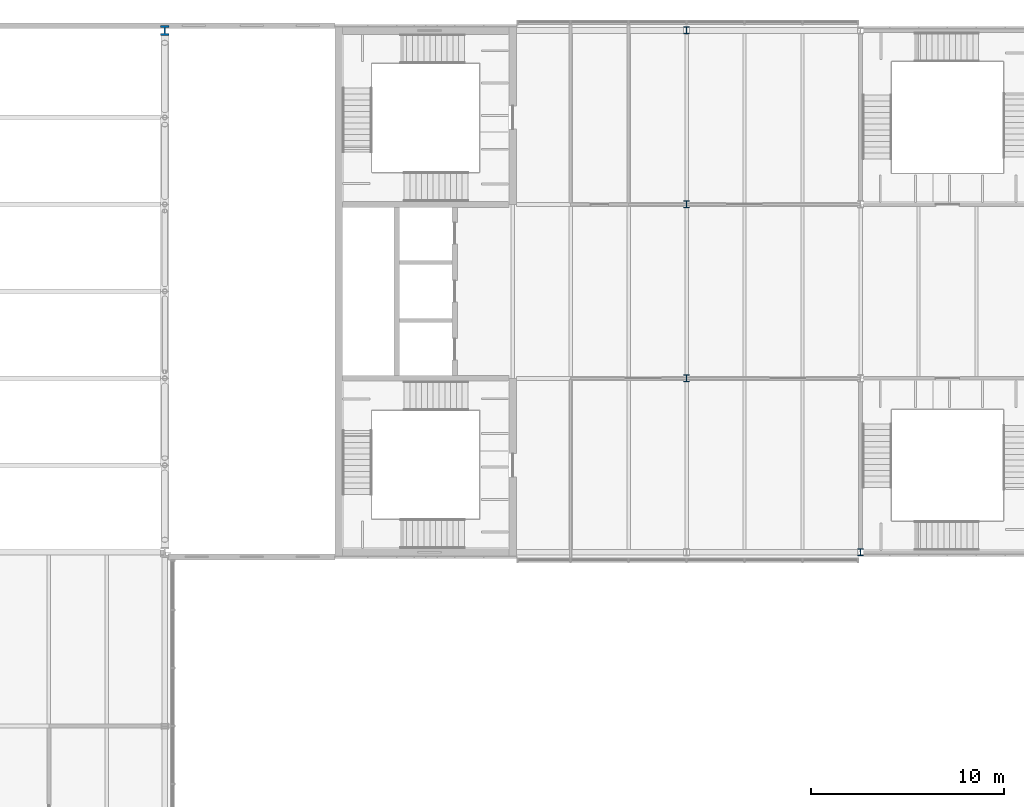
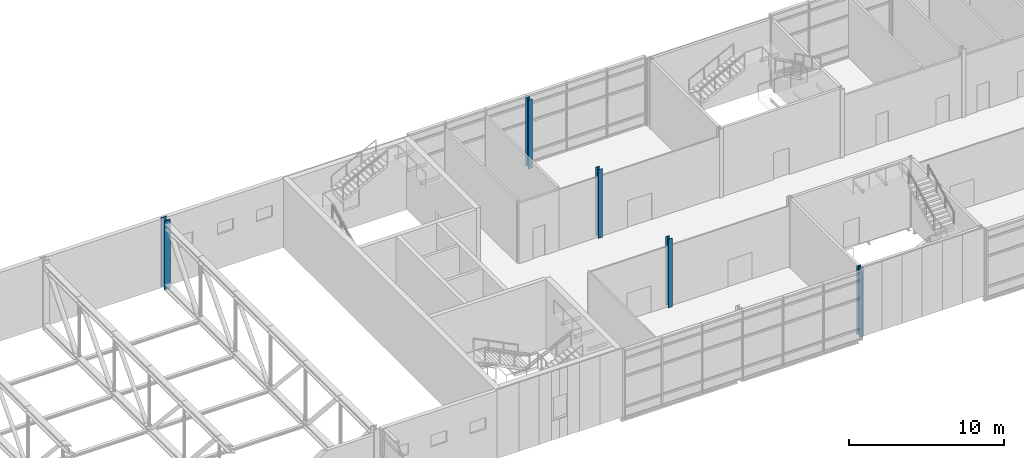
# One storey, part 7 of 53: 5 columns.
"""IFC4 building model written with IfcOpenShell, lengths in metres."""

from ifc_helpers import new_model, si_unit, direction, frame, origin, origin_2d, place, context, subcontext, project, spatial, i_section, extrude, material, material_profile, profile_set, type_object, element, save


model = new_model("IFC4")

# Units and contexts
model_context = context("Model", 3, precision=1e-05, world=origin(), true_north=direction((0.0, 1.0)))
body_context = subcontext(model_context, "Body", "Model", "MODEL_VIEW")
ifc_project = project(units=[si_unit("LENGTHUNIT", "METRE"), si_unit("AREAUNIT", "SQUARE_METRE"), si_unit("VOLUMEUNIT", "CUBIC_METRE"), si_unit("PLANEANGLEUNIT", "RADIAN"), si_unit("MASSUNIT", "GRAM", prefix="KILO")], contexts=[model_context])

# Site, building, storey
site_placement = place(None, origin())
site = spatial("IfcSite", under=ifc_project, at=site_placement, CompositionType="ELEMENT")
building_placement = place(site_placement, origin())
building = spatial("IfcBuilding", under=site, at=building_placement, Name="Azimuth Sports and Learning Centre", CompositionType="ELEMENT")
storey_placement = place(building_placement, frame((0.0, 0.0, 10.800048828125)))
storey = spatial("IfcBuildingStorey", under=building, at=storey_placement, Name="L02", CompositionType="ELEMENT", Elevation=10.800048828125)

# Columns
ifc_material_1 = material(Name="Steel S460", Category="steel")
ifc_material_profile_1 = material_profile(ifc_material_1, i_section(OverallWidth=0.43701171875, OverallDepth=0.513916015625, WebThickness=0.060546875, FlangeThickness=0.096923828125, FilletRadius=0.014892578125, at=origin_2d()), Name="HD 400x818")
ifc_profile_set_1 = profile_set([ifc_material_profile_1], Name="Steel S460")
column_type_1 = type_object("IfcColumnType", Name="Column HD 400x818", PredefinedType="COLUMN", material=ifc_profile_set_1)
column_placement = place(storey_placement, frame((99.0, 117.0, 0.0), z_axis=(0.0, 0.0, 1.0), x_axis=(1.0, 0.0, 0.0)))
element("IfcColumn", 1, at=column_placement, inside=storey, type_object=column_type_1, Name="Column 12P L02", PredefinedType="COLUMN", context=body_context, shape_type="SweptSolid", body=[
    extrude(i_section(OverallWidth=0.43701171875, OverallDepth=0.513916015625, WebThickness=0.060546875, FlangeThickness=0.096923828125, FilletRadius=0.014892578125, at=origin_2d()), origin(), (0.0, 0.0, 1.0), 5.39990234375),
])
ifc_material_2 = material(Name="Steel S355", Category="steel")
ifc_material_profile_2 = material_profile(ifc_material_2, i_section(OverallWidth=0.300048828125, OverallDepth=0.360107421875, WebThickness=0.012451171875, FlangeThickness=0.0224609375, FilletRadius=0.027099609375, at=origin_2d()), Name="HEB 360")
ifc_profile_set_2 = profile_set([ifc_material_profile_2], Name="Steel S355")
column_type_2 = type_object("IfcColumnType", Name="Column HEB 360", PredefinedType="COLUMN", material=ifc_profile_set_2)
for number, where, z_axis, x_axis, name in (
    (2, (135.0, 90.0, 0.0), (0.0, 0.0, 1.0), (1.0, 0.0, 0.0), "Column 16L L02"),
    (3, (126.0, 99.0, 0.0), (0.0, 0.0, 1.0), (1.0, 0.0, 0.0), "Column 15M L02"),
    (4, (126.0, 108.0, 0.0), (0.0, 0.0, 1.0), (1.0, 0.0, 0.0), "Column 15N L02"),
    (5, (126.0, 117.0, 0.0), (0.0, 0.0, 1.0), (1.0, 0.0, 0.0), "Column 15P L02"),
):
    element("IfcColumn", number, at=place(storey_placement, frame(where, z_axis=z_axis, x_axis=x_axis)), inside=storey, type_object=column_type_2, Name=name, PredefinedType="COLUMN", context=body_context, shape_type="SweptSolid", body=[
        extrude(i_section(OverallWidth=0.300048828125, OverallDepth=0.360107421875, WebThickness=0.012451171875, FlangeThickness=0.0224609375, FilletRadius=0.027099609375, at=origin_2d()), origin(), (0.0, 0.0, 1.0), 5.39990234375),
    ])

save(model, "model.ifc")
